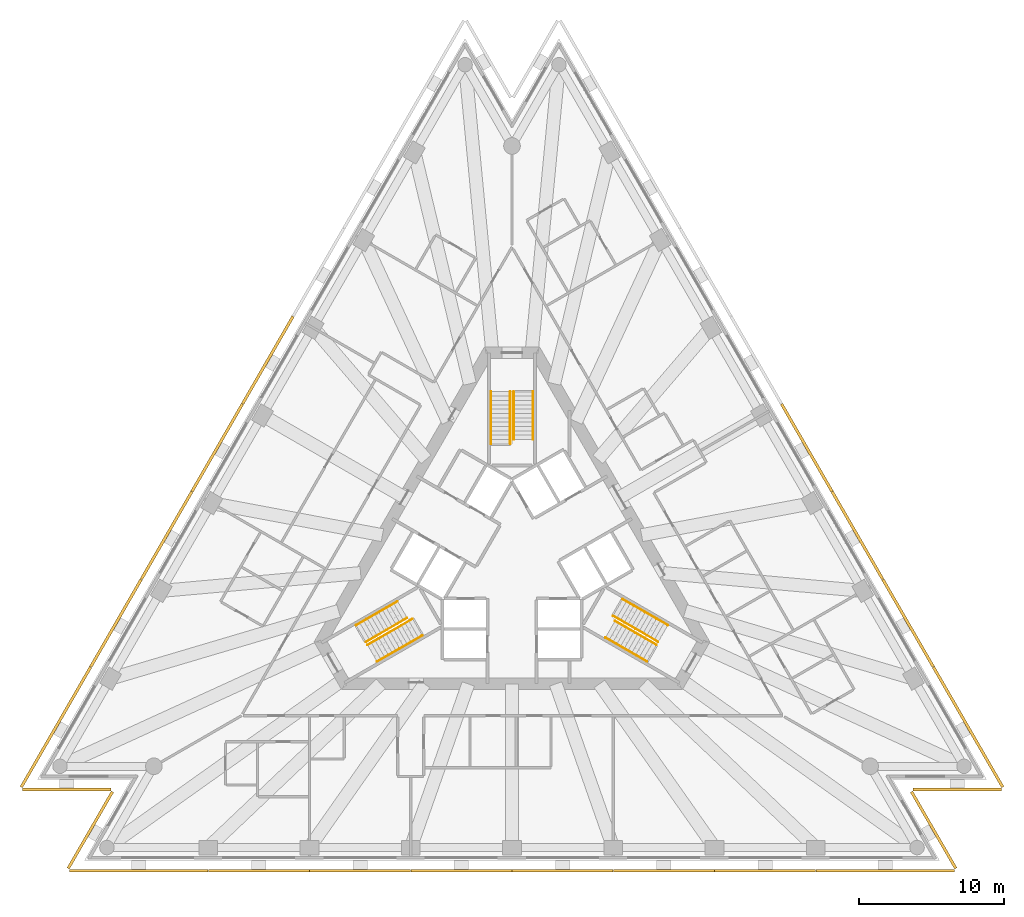
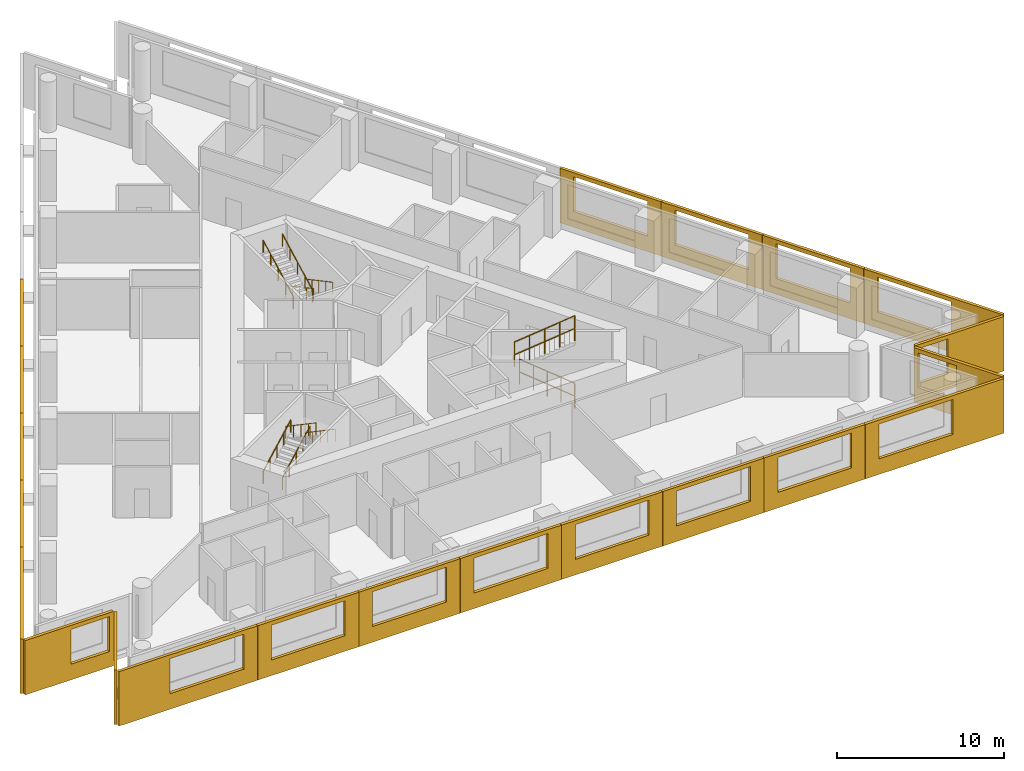
# One storey, part 9 of 10: 21 shading devices, 12 railings, 3 elements without a shape of their own.
"""IFC4 building model written with IfcOpenShell, lengths in metres."""

from ifc_helpers import new_model, si_unit, direction, frame, origin, origin_2d, place, context, subcontext, project, spatial, polyline, circle, outline, extrude, material, layer, layer_set, type_object, element, aggregate, save


model = new_model("IFC4")

# Units and contexts
model_context = context("Model", 3, precision=1e-05, world=origin(), true_north=direction((0.0, 1.0)))
body_context = subcontext(model_context, "Body", "Model", "MODEL_VIEW")
ifc_project = project(units=[si_unit("LENGTHUNIT", "METRE"), si_unit("AREAUNIT", "SQUARE_METRE"), si_unit("VOLUMEUNIT", "CUBIC_METRE"), si_unit("PLANEANGLEUNIT", "RADIAN"), si_unit("MASSUNIT", "GRAM", prefix="KILO")], contexts=[model_context])

# Site, building, storey
site_placement = place(None, origin())
site = spatial("IfcSite", under=ifc_project, at=site_placement, CompositionType="ELEMENT")
building_placement = place(site_placement, origin())
building = spatial("IfcBuilding", under=site, at=building_placement, Name="Triada Interchange Tower", CompositionType="ELEMENT")
storey_placement = place(building_placement, frame((0.0, 0.0, 112.300048828125)))
storey = spatial("IfcBuildingStorey", under=building, at=storey_placement, Name="L25", CompositionType="ELEMENT", Elevation=112.300048828125)

# Shading devices
ifc_material_1 = material(Name="Concrete C50/60 precast", Category="concrete")
ifc_layer_1 = layer(ifc_material_1, 0.02001953125, Name="Exposed aggregate face")
ifc_layer_2 = layer(ifc_material_1, 0.179931640625, Name="Precast concrete screen")
ifc_layer_set = layer_set([ifc_layer_1, ifc_layer_2], Name="Outer skin screen panel 3980")
shading_device_type = type_object("IfcShadingDeviceType", Name="Outer skin screen panel 3980", PredefinedType="SHUTTER", material=ifc_layer_set)
shading_device_1_placement = place(storey_placement, frame((-15.052001953125, 16.763916015625, -0.2900390625), z_axis=(0.0, 0.0, 1.0), x_axis=(-0.49997871953, -0.866037689721, 0.0)))
element("IfcShadingDevice", 1, at=shading_device_1_placement, inside=storey, type_object=shading_device_type, Name="Outer skin screen panel L25 04", PredefinedType="SHUTTER", context=body_context, shape_type="SweptSolid", body=[
    extrude(outline(polyline([(0.0, 0.0), (6.982177734375, 0.0), (6.982177734375, 3.97998046875), (0.0, 3.97998046875), (0.0, 0.0)]), holes=[polyline([(0.9404296875, 1.139892578125), (0.9404296875, 3.68994140625), (6.040283203125, 3.68994140625), (6.040283203125, 1.139892578125), (0.9404296875, 1.139892578125)])]), frame((0.0, 0.0, 0.0), z_axis=(0.0, -1.0, 0.0), x_axis=(1.0, 0.0, 0.0)), (0.0, 0.0, 1.0), 0.199951171875),
])
shading_device_2_placement = place(storey_placement, frame((-18.552978515625, 10.699951171875, -0.2900390625), z_axis=(0.0, 0.0, 1.0), x_axis=(-0.499934370605, -0.866063291618, 0.0)))
element("IfcShadingDevice", 2, at=shading_device_2_placement, inside=storey, type_object=shading_device_type, Name="Outer skin screen panel L25 05", PredefinedType="SHUTTER", context=body_context, shape_type="SweptSolid", body=[
    extrude(outline(polyline([(0.0, 0.0), (6.98095703125, 0.0), (6.98095703125, 3.97998046875), (0.0, 3.97998046875), (0.0, 0.0)]), holes=[polyline([(0.94091796875, 1.139892578125), (0.94091796875, 3.68994140625), (6.040771484375, 3.68994140625), (6.040771484375, 1.139892578125), (0.94091796875, 1.139892578125)])]), frame((0.0, 0.0, 0.0), z_axis=(0.0, -1.0, 0.0), x_axis=(1.0, 0.0, 0.0)), (0.0, 0.0, 1.0), 0.199951171875),
])
shading_device_3_placement = place(storey_placement, frame((-22.052978515625, 4.635986328125, -0.2900390625), z_axis=(0.0, 0.0, 1.0), x_axis=(-0.5000392868, -0.866002720352, 0.0)))
element("IfcShadingDevice", 3, at=shading_device_3_placement, inside=storey, type_object=shading_device_type, Name="Outer skin screen panel L25 06", PredefinedType="SHUTTER", context=body_context, shape_type="SweptSolid", body=[
    extrude(outline(polyline([(0.0, 0.0), (6.9814453125, 0.0), (6.9814453125, 3.97998046875), (0.0, 3.97998046875), (0.0, 0.0)]), holes=[polyline([(0.941162109375, 1.139892578125), (0.941162109375, 3.68994140625), (6.041015625, 3.68994140625), (6.041015625, 1.139892578125), (0.941162109375, 1.139892578125)])]), frame((0.0, 0.0, 0.0), z_axis=(0.0, -1.0, 0.0), x_axis=(1.0, 0.0, 0.0)), (0.0, 0.0, 1.0), 0.199951171875),
])
shading_device_4_placement = place(storey_placement, frame((-25.553955078125, -1.427001953125, -0.2900390625), z_axis=(0.0, 0.0, 1.0), x_axis=(-0.499963579623, -0.866046430078, 0.0)))
element("IfcShadingDevice", 4, at=shading_device_4_placement, inside=storey, type_object=shading_device_type, Name="Outer skin screen panel L25 07", PredefinedType="SHUTTER", context=body_context, shape_type="SweptSolid", body=[
    extrude(outline(polyline([(0.0, 0.0), (6.982421875, 0.0), (6.982421875, 3.97998046875), (0.0, 3.97998046875), (0.0, 0.0)]), holes=[polyline([(0.9404296875, 1.139892578125), (0.9404296875, 3.68994140625), (6.040283203125, 3.68994140625), (6.040283203125, 1.139892578125), (0.9404296875, 1.139892578125)])]), frame((0.0, 0.0, 0.0), z_axis=(0.0, -1.0, 0.0), x_axis=(1.0, 0.0, 0.0)), (0.0, 0.0, 1.0), 0.199951171875),
])
shading_device_5_placement = place(storey_placement, frame((-29.054931640625, -7.490966796875, -0.2900390625), z_axis=(0.0, 0.0, 1.0), x_axis=(-0.500020270231, -0.866013700445, 0.0)))
element("IfcShadingDevice", 5, at=shading_device_5_placement, inside=storey, type_object=shading_device_type, Name="Outer skin screen panel L25 08", PredefinedType="SHUTTER", context=body_context, shape_type="SweptSolid", body=[
    extrude(outline(polyline([(0.0, 0.0), (9.57958984375, 0.0), (9.57958984375, 3.97998046875), (0.0, 3.97998046875), (0.0, 0.0)]), holes=[polyline([(0.940673828125, 1.139892578125), (0.940673828125, 3.68994140625), (6.040771484375, 3.68994140625), (6.040771484375, 1.139892578125), (0.940673828125, 1.139892578125)])]), frame((0.0, 0.0, 0.0), z_axis=(0.0, -1.0, 0.0), x_axis=(1.0, 0.0, 0.0)), (0.0, 0.0, 1.0), 0.199951171875),
])
shading_device_6_placement = place(storey_placement, frame((-33.840087890625, -15.7958984375, -0.2900390625), z_axis=(0.0, 0.0, 1.0), x_axis=(1.0, 0.0, 0.0)))
element("IfcShadingDevice", 6, at=shading_device_6_placement, inside=storey, type_object=shading_device_type, Name="Outer skin screen panel L25 09", PredefinedType="SHUTTER", context=body_context, shape_type="SweptSolid", body=[
    extrude(outline(polyline([(0.0, 0.0), (6.123046875, 0.0), (6.123046875, 3.97998046875), (0.0, 3.97998046875), (0.0, 0.0)]), holes=[polyline([(3.175048828125, 1.139892578125), (3.175048828125, 3.68994140625), (5.822998046875, 3.68994140625), (5.822998046875, 1.139892578125), (3.175048828125, 1.139892578125)])]), frame((0.0, 0.0, 0.0), z_axis=(0.0, -1.0, 0.0), x_axis=(1.0, 0.0, 0.0)), (0.0, 0.0, 1.0), 0.199951171875),
])
shading_device_7_placement = place(storey_placement, frame((-27.5380859375, -16.10498046875, -0.2900390625), z_axis=(0.0, 0.0, 1.0), x_axis=(-0.500041108788, -0.866001668314, 0.0)))
element("IfcShadingDevice", 7, at=shading_device_7_placement, inside=storey, type_object=shading_device_type, Name="Outer skin screen panel L25 10", PredefinedType="SHUTTER", context=body_context, shape_type="SweptSolid", body=[
    extrude(outline(polyline([(0.0, 0.0), (6.12353515625, 0.0), (6.12353515625, 3.97998046875), (0.0, 3.97998046875), (0.0, 0.0)]), holes=[polyline([(0.300048828125, 1.139892578125), (0.300048828125, 3.68994140625), (2.258056640625, 3.68994140625), (2.258056640625, 1.139892578125), (0.300048828125, 1.139892578125)])]), frame((0.0, 0.0, 0.0), z_axis=(0.0, -1.0, 0.0), x_axis=(1.0, 0.0, 0.0)), (0.0, 0.0, 1.0), 0.199951171875),
])
shading_device_8_placement = place(storey_placement, frame((-30.594970703125, -21.4169921875, -0.2900390625), z_axis=(0.0, 0.0, 1.0), x_axis=(1.0, 0.0, 0.0)))
element("IfcShadingDevice", 8, at=shading_device_8_placement, inside=storey, type_object=shading_device_type, Name="Outer skin screen panel L25 11", PredefinedType="SHUTTER", context=body_context, shape_type="SweptSolid", body=[
    extrude(outline(polyline([(0.0, 0.0), (9.580078125, 0.0), (9.580078125, 3.97998046875), (0.0, 3.97998046875), (0.0, 0.0)]), holes=[polyline([(3.5390625, 1.139892578125), (3.5390625, 3.68994140625), (8.638916015625, 3.68994140625), (8.638916015625, 1.139892578125), (3.5390625, 1.139892578125)])]), frame((0.0, 0.0, 0.0), z_axis=(0.0, -1.0, 0.0), x_axis=(1.0, 0.0, 0.0)), (0.0, 0.0, 1.0), 0.199951171875),
])
shading_device_9_placement = place(storey_placement, frame((-20.9951171875, -21.4169921875, -0.2900390625), z_axis=(0.0, 0.0, 1.0), x_axis=(1.0, 0.0, 0.0)))
element("IfcShadingDevice", 9, at=shading_device_9_placement, inside=storey, type_object=shading_device_type, Name="Outer skin screen panel L25 12", PredefinedType="SHUTTER", context=body_context, shape_type="SweptSolid", body=[
    extrude(outline(polyline([(0.0, 0.0), (6.981201171875, 0.0), (6.981201171875, 3.97998046875), (0.0, 3.97998046875), (0.0, 0.0)]), holes=[polyline([(0.94140625, 1.139892578125), (0.94140625, 3.68994140625), (6.041259765625, 3.68994140625), (6.041259765625, 1.139892578125), (0.94140625, 1.139892578125)])]), frame((0.0, 0.0, 0.0), z_axis=(0.0, -1.0, 0.0), x_axis=(1.0, 0.0, 0.0)), (0.0, 0.0, 1.0), 0.199951171875),
])
shading_device_10_placement = place(storey_placement, frame((-13.993896484375, -21.4169921875, -0.2900390625), z_axis=(0.0, 0.0, 1.0), x_axis=(1.0, 0.0, 0.0)))
element("IfcShadingDevice", 10, at=shading_device_10_placement, inside=storey, type_object=shading_device_type, Name="Outer skin screen panel L25 13", PredefinedType="SHUTTER", context=body_context, shape_type="SweptSolid", body=[
    extrude(outline(polyline([(0.0, 0.0), (6.98193359375, 0.0), (6.98193359375, 3.97998046875), (0.0, 3.97998046875), (0.0, 0.0)]), holes=[polyline([(0.9404296875, 1.139892578125), (0.9404296875, 3.68994140625), (6.04052734375, 3.68994140625), (6.04052734375, 1.139892578125), (0.9404296875, 1.139892578125)])]), frame((0.0, 0.0, 0.0), z_axis=(0.0, -1.0, 0.0), x_axis=(1.0, 0.0, 0.0)), (0.0, 0.0, 1.0), 0.199951171875),
])
shading_device_11_placement = place(storey_placement, frame((-6.991943359375, -21.4169921875, -0.2900390625), z_axis=(0.0, 0.0, 1.0), x_axis=(1.0, 0.0, 0.0)))
element("IfcShadingDevice", 11, at=shading_device_11_placement, inside=storey, type_object=shading_device_type, Name="Outer skin screen panel L25 14", PredefinedType="SHUTTER", context=body_context, shape_type="SweptSolid", body=[
    extrude(outline(polyline([(0.0, 0.0), (6.98193359375, 0.0), (6.98193359375, 3.97998046875), (0.0, 3.97998046875), (0.0, 0.0)]), holes=[polyline([(0.94091796875, 1.139892578125), (0.94091796875, 3.68994140625), (6.040771484375, 3.68994140625), (6.040771484375, 1.139892578125), (0.94091796875, 1.139892578125)])]), frame((0.0, 0.0, 0.0), z_axis=(0.0, -1.0, 0.0), x_axis=(1.0, 0.0, 0.0)), (0.0, 0.0, 1.0), 0.199951171875),
])
shading_device_12_placement = place(storey_placement, frame((0.010009765625, -21.4169921875, -0.2900390625), z_axis=(0.0, 0.0, 1.0), x_axis=(1.0, 0.0, 0.0)))
element("IfcShadingDevice", 12, at=shading_device_12_placement, inside=storey, type_object=shading_device_type, Name="Outer skin screen panel L25 15", PredefinedType="SHUTTER", context=body_context, shape_type="SweptSolid", body=[
    extrude(outline(polyline([(0.0, 0.0), (6.98193359375, 0.0), (6.98193359375, 3.97998046875), (0.0, 3.97998046875), (0.0, 0.0)]), holes=[polyline([(0.94091796875, 1.139892578125), (0.94091796875, 3.68994140625), (6.041015625, 3.68994140625), (6.041015625, 1.139892578125), (0.94091796875, 1.139892578125)])]), frame((0.0, 0.0, 0.0), z_axis=(0.0, -1.0, 0.0), x_axis=(1.0, 0.0, 0.0)), (0.0, 0.0, 1.0), 0.199951171875),
])
shading_device_13_placement = place(storey_placement, frame((7.011962890625, -21.4169921875, -0.2900390625), z_axis=(0.0, 0.0, 1.0), x_axis=(1.0, 0.0, 0.0)))
element("IfcShadingDevice", 13, at=shading_device_13_placement, inside=storey, type_object=shading_device_type, Name="Outer skin screen panel L25 16", PredefinedType="SHUTTER", context=body_context, shape_type="SweptSolid", body=[
    extrude(outline(polyline([(0.0, 0.0), (6.98193359375, 0.0), (6.98193359375, 3.97998046875), (0.0, 3.97998046875), (0.0, 0.0)]), holes=[polyline([(0.94140625, 1.139892578125), (0.94140625, 3.68994140625), (6.041259765625, 3.68994140625), (6.041259765625, 1.139892578125), (0.94140625, 1.139892578125)])]), frame((0.0, 0.0, 0.0), z_axis=(0.0, -1.0, 0.0), x_axis=(1.0, 0.0, 0.0)), (0.0, 0.0, 1.0), 0.199951171875),
])
shading_device_14_placement = place(storey_placement, frame((14.012939453125, -21.4169921875, -0.2900390625), z_axis=(0.0, 0.0, 1.0), x_axis=(1.0, 0.0, 0.0)))
element("IfcShadingDevice", 14, at=shading_device_14_placement, inside=storey, type_object=shading_device_type, Name="Outer skin screen panel L25 17", PredefinedType="SHUTTER", context=body_context, shape_type="SweptSolid", body=[
    extrude(outline(polyline([(0.0, 0.0), (6.982177734375, 0.0), (6.982177734375, 3.97998046875), (0.0, 3.97998046875), (0.0, 0.0)]), holes=[polyline([(0.9404296875, 1.139892578125), (0.9404296875, 3.68994140625), (6.04052734375, 3.68994140625), (6.04052734375, 1.139892578125), (0.9404296875, 1.139892578125)])]), frame((0.0, 0.0, 0.0), z_axis=(0.0, -1.0, 0.0), x_axis=(1.0, 0.0, 0.0)), (0.0, 0.0, 1.0), 0.199951171875),
])
shading_device_15_placement = place(storey_placement, frame((21.014892578125, -21.4169921875, -0.2900390625), z_axis=(0.0, 0.0, 1.0), x_axis=(1.0, 0.0, 0.0)))
element("IfcShadingDevice", 15, at=shading_device_15_placement, inside=storey, type_object=shading_device_type, Name="Outer skin screen panel L25 18", PredefinedType="SHUTTER", context=body_context, shape_type="SweptSolid", body=[
    extrude(outline(polyline([(0.0, 0.0), (9.580078125, 0.0), (9.580078125, 3.97998046875), (0.0, 3.97998046875), (0.0, 0.0)]), holes=[polyline([(0.94091796875, 1.139892578125), (0.94091796875, 3.68994140625), (6.040771484375, 3.68994140625), (6.040771484375, 1.139892578125), (0.94091796875, 1.139892578125)])]), frame((0.0, 0.0, 0.0), z_axis=(0.0, -1.0, 0.0), x_axis=(1.0, 0.0, 0.0)), (0.0, 0.0, 1.0), 0.199951171875),
])
shading_device_16_placement = place(storey_placement, frame((30.60009765625, -21.407958984375, -0.2900390625), z_axis=(0.0, 0.0, 1.0), x_axis=(-0.500041108788, 0.866001668314, 0.0)))
element("IfcShadingDevice", 16, at=shading_device_16_placement, inside=storey, type_object=shading_device_type, Name="Outer skin screen panel L25 19", PredefinedType="SHUTTER", context=body_context, shape_type="SweptSolid", body=[
    extrude(outline(polyline([(0.0, 0.0), (6.12353515625, 0.0), (6.12353515625, 3.97998046875), (0.0, 3.97998046875), (0.0, 0.0)]), holes=[polyline([(3.17529296875, 1.139892578125), (3.17529296875, 3.68994140625), (5.82373046875, 3.68994140625), (5.82373046875, 1.139892578125), (3.17529296875, 1.139892578125)])]), frame((0.0, 0.0, 0.0), z_axis=(0.0, -1.0, 0.0), x_axis=(1.0, 0.0, 0.0)), (0.0, 0.0, 1.0), 0.199951171875),
])
shading_device_17_placement = place(storey_placement, frame((27.717041015625, -15.7958984375, -0.2900390625), z_axis=(0.0, 0.0, 1.0), x_axis=(1.0, 0.0, 0.0)))
element("IfcShadingDevice", 17, at=shading_device_17_placement, inside=storey, type_object=shading_device_type, Name="Outer skin screen panel L25 20", PredefinedType="SHUTTER", context=body_context, shape_type="SweptSolid", body=[
    extrude(outline(polyline([(0.0, 0.0), (6.123046875, 0.0), (6.123046875, 3.97998046875), (0.0, 3.97998046875), (0.0, 0.0)]), holes=[polyline([(0.300048828125, 1.139892578125), (0.300048828125, 3.68994140625), (2.258056640625, 3.68994140625), (2.258056640625, 1.139892578125), (0.300048828125, 1.139892578125)])]), frame((0.0, 0.0, 0.0), z_axis=(0.0, -1.0, 0.0), x_axis=(1.0, 0.0, 0.0)), (0.0, 0.0, 1.0), 0.199951171875),
])
shading_device_18_placement = place(storey_placement, frame((33.844970703125, -15.787109375, -0.2900390625), z_axis=(0.0, 0.0, 1.0), x_axis=(-0.500020270231, 0.866013700445, 0.0)))
element("IfcShadingDevice", 18, at=shading_device_18_placement, inside=storey, type_object=shading_device_type, Name="Outer skin screen panel L25 21", PredefinedType="SHUTTER", context=body_context, shape_type="SweptSolid", body=[
    extrude(outline(polyline([(0.0, 0.0), (9.57958984375, 0.0), (9.57958984375, 3.97998046875), (0.0, 3.97998046875), (0.0, 0.0)]), holes=[polyline([(3.539306640625, 1.139892578125), (3.539306640625, 3.68994140625), (8.639404296875, 3.68994140625), (8.639404296875, 1.139892578125), (3.539306640625, 1.139892578125)])]), frame((0.0, 0.0, 0.0), z_axis=(0.0, -1.0, 0.0), x_axis=(1.0, 0.0, 0.0)), (0.0, 0.0, 1.0), 0.199951171875),
])
shading_device_19_placement = place(storey_placement, frame((29.044921875, -7.47412109375, -0.2900390625), z_axis=(0.0, 0.0, 1.0), x_axis=(-0.499963579623, 0.866046430078, 0.0)))
element("IfcShadingDevice", 19, at=shading_device_19_placement, inside=storey, type_object=shading_device_type, Name="Outer skin screen panel L25 22", PredefinedType="SHUTTER", context=body_context, shape_type="SweptSolid", body=[
    extrude(outline(polyline([(0.0, 0.0), (6.982421875, 0.0), (6.982421875, 3.97998046875), (0.0, 3.97998046875), (0.0, 0.0)]), holes=[polyline([(0.9404296875, 1.139892578125), (0.9404296875, 3.68994140625), (6.04052734375, 3.68994140625), (6.04052734375, 1.139892578125), (0.9404296875, 1.139892578125)])]), frame((0.0, 0.0, 0.0), z_axis=(0.0, -1.0, 0.0), x_axis=(1.0, 0.0, 0.0)), (0.0, 0.0, 1.0), 0.199951171875),
])
shading_device_20_placement = place(storey_placement, frame((25.5439453125, -1.409912109375, -0.2900390625), z_axis=(0.0, 0.0, 1.0), x_axis=(-0.5000392868, 0.866002720352, 0.0)))
element("IfcShadingDevice", 20, at=shading_device_20_placement, inside=storey, type_object=shading_device_type, Name="Outer skin screen panel L25 23", PredefinedType="SHUTTER", context=body_context, shape_type="SweptSolid", body=[
    extrude(outline(polyline([(0.0, 0.0), (6.9814453125, 0.0), (6.9814453125, 3.97998046875), (0.0, 3.97998046875), (0.0, 0.0)]), holes=[polyline([(0.94091796875, 1.139892578125), (0.94091796875, 3.68994140625), (6.040771484375, 3.68994140625), (6.040771484375, 1.139892578125), (0.94091796875, 1.139892578125)])]), frame((0.0, 0.0, 0.0), z_axis=(0.0, -1.0, 0.0), x_axis=(1.0, 0.0, 0.0)), (0.0, 0.0, 1.0), 0.199951171875),
])
shading_device_21_placement = place(storey_placement, frame((22.04296875, 4.654052734375, -0.2900390625), z_axis=(0.0, 0.0, 1.0), x_axis=(-0.499934370605, 0.866063291618, 0.0)))
element("IfcShadingDevice", 21, at=shading_device_21_placement, inside=storey, type_object=shading_device_type, Name="Outer skin screen panel L25 24", PredefinedType="SHUTTER", context=body_context, shape_type="SweptSolid", body=[
    extrude(outline(polyline([(0.0, 0.0), (6.98095703125, 0.0), (6.98095703125, 3.97998046875), (0.0, 3.97998046875), (0.0, 0.0)]), holes=[polyline([(0.941162109375, 1.139892578125), (0.941162109375, 3.68994140625), (6.041259765625, 3.68994140625), (6.041259765625, 1.139892578125), (0.941162109375, 1.139892578125)])]), frame((0.0, 0.0, 0.0), z_axis=(0.0, -1.0, 0.0), x_axis=(1.0, 0.0, 0.0)), (0.0, 0.0, 1.0), 0.199951171875),
])

# Stair, railings
ifc_material_2 = material(Name="Concrete C35/45", Category="concrete")
stair_type = type_object("IfcStairType", Name="HALF TURN STAIR 1400", PredefinedType="HALF_TURN_STAIR", material=ifc_material_2)
stair_1_placement = place(storey_placement, origin())
stair_1 = element("IfcStair", 22, at=stair_1_placement, inside=storey, type_object=stair_type, Name="Exit stair S23-1", PredefinedType="HALF_TURN_STAIR")
ifc_material_3 = material(Name="Stainless steel 1.4301", Category="steel")
railing_type = type_object("IfcRailingType", Name="STAIR HANDRAIL 900", PredefinedType="HANDRAIL", material=ifc_material_3)
railing_1_placement = place(storey_placement, frame((1.449951171875, 11.60009765625, 0.159912109375)))
railing_1 = element("IfcRailing", 23, at=railing_1_placement, type_object=railing_type, Name="Handrail S23-1 1W", PredefinedType="HANDRAIL", context=body_context, shape_type="SweptSolid", body=[
    extrude(circle(Radius=0.02392578125, at=origin_2d()), frame((0.0, 0.0, 0.8759765625), z_axis=(0.0, -0.882354748157, 0.47058484719), x_axis=(1.0, 0.0, 0.0)), (0.0, 0.0, 1.0), 3.739990234375),
    extrude(circle(Radius=0.02099609375, at=origin_2d()), origin(), (0.0, 0.0, 1.0), 0.851806640625),
    extrude(circle(Radius=0.02099609375, at=origin_2d()), frame((0.0, -0.824951171875, 0.43994140625)), (0.0, 0.0, 1.0), 0.851806640625),
    extrude(circle(Radius=0.02099609375, at=origin_2d()), frame((0.0, -1.64990234375, 0.8798828125)), (0.0, 0.0, 1.0), 0.851806640625),
    extrude(circle(Radius=0.02099609375, at=origin_2d()), frame((0.0, -2.47509765625, 1.320068359375)), (0.0, 0.0, 1.0), 0.851806640625),
    extrude(circle(Radius=0.02099609375, at=origin_2d()), frame((0.0, -3.300048828125, 1.760009765625)), (0.0, 0.0, 1.0), 0.851806640625),
])
railing_2_placement = place(storey_placement, frame((0.1201171875, 11.60009765625, 0.159912109375)))
railing_2 = element("IfcRailing", 24, at=railing_2_placement, type_object=railing_type, Name="Handrail S23-1 1C", PredefinedType="HANDRAIL", context=body_context, shape_type="SweptSolid", body=[
    extrude(circle(Radius=0.02392578125, at=origin_2d()), frame((0.0, 0.0, 0.8759765625), z_axis=(0.0, -0.882354748157, 0.47058484719), x_axis=(1.0, 0.0, 0.0)), (0.0, 0.0, 1.0), 3.739990234375),
    extrude(circle(Radius=0.02099609375, at=origin_2d()), origin(), (0.0, 0.0, 1.0), 0.851806640625),
    extrude(circle(Radius=0.02099609375, at=origin_2d()), frame((0.0, -0.824951171875, 0.43994140625)), (0.0, 0.0, 1.0), 0.851806640625),
    extrude(circle(Radius=0.02099609375, at=origin_2d()), frame((0.0, -1.64990234375, 0.8798828125)), (0.0, 0.0, 1.0), 0.851806640625),
    extrude(circle(Radius=0.02099609375, at=origin_2d()), frame((0.0, -2.47509765625, 1.320068359375)), (0.0, 0.0, 1.0), 0.851806640625),
    extrude(circle(Radius=0.02099609375, at=origin_2d()), frame((0.0, -3.300048828125, 1.760009765625)), (0.0, 0.0, 1.0), 0.851806640625),
])
railing_3_placement = place(storey_placement, frame((-1.449951171875, 8.0, 2.079833984375)))
railing_3 = element("IfcRailing", 25, at=railing_3_placement, type_object=railing_type, Name="Handrail S23-1 2W", PredefinedType="HANDRAIL", context=body_context, shape_type="SweptSolid", body=[
    extrude(circle(Radius=0.02392578125, at=origin_2d()), frame((0.0, 0.0, 0.8759765625), z_axis=(0.0, 0.882341346394, 0.470609974867), x_axis=(-1.0, 0.0, 0.0)), (0.0, 0.0, 1.0), 4.080078125),
    extrude(circle(Radius=0.02099609375, at=origin_2d()), origin(), (0.0, 0.0, 1.0), 0.851806640625),
    extrude(circle(Radius=0.02099609375, at=origin_2d()), frame((0.0, 0.89990234375, 0.47998046875)), (0.0, 0.0, 1.0), 0.851806640625),
    extrude(circle(Radius=0.02099609375, at=origin_2d()), frame((0.0, 1.800048828125, 0.9599609375)), (0.0, 0.0, 1.0), 0.851806640625),
    extrude(circle(Radius=0.02099609375, at=origin_2d()), frame((0.0, 2.7001953125, 1.440185546875)), (0.0, 0.0, 1.0), 0.851806640625),
    extrude(circle(Radius=0.02099609375, at=origin_2d()), frame((0.0, 3.60009765625, 1.920166015625)), (0.0, 0.0, 1.0), 0.851806640625),
])
railing_4_placement = place(storey_placement, frame((-0.1201171875, 8.0, 2.079833984375)))
railing_4 = element("IfcRailing", 26, at=railing_4_placement, type_object=railing_type, Name="Handrail S23-1 2C", PredefinedType="HANDRAIL", context=body_context, shape_type="SweptSolid", body=[
    extrude(circle(Radius=0.02392578125, at=origin_2d()), frame((0.0, 0.0, 0.8759765625), z_axis=(0.0, 0.882341346394, 0.470609974867), x_axis=(-1.0, 0.0, 0.0)), (0.0, 0.0, 1.0), 4.080078125),
    extrude(circle(Radius=0.02099609375, at=origin_2d()), origin(), (0.0, 0.0, 1.0), 0.851806640625),
    extrude(circle(Radius=0.02099609375, at=origin_2d()), frame((0.0, 0.89990234375, 0.47998046875)), (0.0, 0.0, 1.0), 0.851806640625),
    extrude(circle(Radius=0.02099609375, at=origin_2d()), frame((0.0, 1.800048828125, 0.9599609375)), (0.0, 0.0, 1.0), 0.851806640625),
    extrude(circle(Radius=0.02099609375, at=origin_2d()), frame((0.0, 2.7001953125, 1.440185546875)), (0.0, 0.0, 1.0), 0.851806640625),
    extrude(circle(Radius=0.02099609375, at=origin_2d()), frame((0.0, 3.60009765625, 1.920166015625)), (0.0, 0.0, 1.0), 0.851806640625),
])
aggregate(stair_1, [railing_1, railing_2, railing_3, railing_4])

stair_2_placement = place(storey_placement, origin())
stair_2 = element("IfcStair", 27, at=stair_2_placement, inside=storey, type_object=stair_type, Name="Exit stair S23-2", PredefinedType="HALF_TURN_STAIR")
railing_5_placement = place(storey_placement, frame((-10.77099609375, -4.5439453125, 0.159912109375)))
railing_5 = element("IfcRailing", 28, at=railing_5_placement, type_object=railing_type, Name="Handrail S23-2 1W", PredefinedType="HANDRAIL", context=body_context, shape_type="SweptSolid", body=[
    extrude(circle(Radius=0.02392578125, at=origin_2d()), frame((0.0, 0.0, 0.8759765625), z_axis=(0.764150854273, 0.441152526326, 0.470593158077), x_axis=(-0.499974350878, 0.866040211805, 0.0)), (0.0, 0.0, 1.0), 3.739990234375),
    extrude(circle(Radius=0.02099609375, at=origin_2d()), origin(), (0.0, 0.0, 1.0), 0.851806640625),
    extrude(circle(Radius=0.02099609375, at=origin_2d()), frame((0.71435546875, 0.41259765625, 0.43994140625)), (0.0, 0.0, 1.0), 0.851806640625),
    extrude(circle(Radius=0.02099609375, at=origin_2d()), frame((1.428955078125, 0.824951171875, 0.8798828125)), (0.0, 0.0, 1.0), 0.851806640625),
    extrude(circle(Radius=0.02099609375, at=origin_2d()), frame((2.1435546875, 1.2373046875, 1.320068359375)), (0.0, 0.0, 1.0), 0.851806640625),
    extrude(circle(Radius=0.02099609375, at=origin_2d()), frame((2.85791015625, 1.64990234375, 1.760009765625)), (0.0, 0.0, 1.0), 0.851806640625),
])
railing_6_placement = place(storey_placement, frame((-10.10595703125, -5.696044921875, 0.159912109375)))
railing_6 = element("IfcRailing", 29, at=railing_6_placement, type_object=railing_type, Name="Handrail S23-2 1C", PredefinedType="HANDRAIL", context=body_context, shape_type="SweptSolid", body=[
    extrude(circle(Radius=0.02392578125, at=origin_2d()), frame((0.0, 0.0, 0.8759765625), z_axis=(0.76412884773, 0.441205098395, 0.470579605611), x_axis=(-0.50002983664, 0.866008176907, 0.0)), (0.0, 0.0, 1.0), 3.739990234375),
    extrude(circle(Radius=0.02099609375, at=origin_2d()), origin(), (0.0, 0.0, 1.0), 0.851806640625),
    extrude(circle(Radius=0.02099609375, at=origin_2d()), frame((0.71435546875, 0.41259765625, 0.43994140625)), (0.0, 0.0, 1.0), 0.851806640625),
    extrude(circle(Radius=0.02099609375, at=origin_2d()), frame((1.428955078125, 0.8251953125, 0.8798828125)), (0.0, 0.0, 1.0), 0.851806640625),
    extrude(circle(Radius=0.02099609375, at=origin_2d()), frame((2.1435546875, 1.237548828125, 1.320068359375)), (0.0, 0.0, 1.0), 0.851806640625),
    extrude(circle(Radius=0.02099609375, at=origin_2d()), frame((2.85791015625, 1.650146484375, 1.760009765625)), (0.0, 0.0, 1.0), 0.851806640625),
])
railing_7_placement = place(storey_placement, frame((-6.202880859375, -5.256103515625, 2.079833984375)))
railing_7 = element("IfcRailing", 30, at=railing_7_placement, type_object=railing_type, Name="Handrail S23-2 2W", PredefinedType="HANDRAIL", context=body_context, shape_type="SweptSolid", body=[
    extrude(circle(Radius=0.02392578125, at=origin_2d()), frame((0.0, 0.0, 0.8759765625), z_axis=(-0.764189758314, -0.441090424232, 0.470588196769), x_axis=(0.499902469156, -0.866081705922, 0.0)), (0.0, 0.0, 1.0), 4.080322265625),
    extrude(circle(Radius=0.02099609375, at=origin_2d()), origin(), (0.0, 0.0, 1.0), 0.851806640625),
    extrude(circle(Radius=0.02099609375, at=origin_2d()), frame((-0.779541015625, -0.449951171875, 0.47998046875)), (0.0, 0.0, 1.0), 0.851806640625),
    extrude(circle(Radius=0.02099609375, at=origin_2d()), frame((-1.55908203125, -0.89990234375, 0.9599609375)), (0.0, 0.0, 1.0), 0.851806640625),
    extrude(circle(Radius=0.02099609375, at=origin_2d()), frame((-2.338623046875, -1.349853515625, 1.440185546875)), (0.0, 0.0, 1.0), 0.851806640625),
    extrude(circle(Radius=0.02099609375, at=origin_2d()), frame((-3.1181640625, -1.7998046875, 1.920166015625)), (0.0, 0.0, 1.0), 0.851806640625),
])
railing_8_placement = place(storey_placement, frame((-6.867919921875, -4.10400390625, 2.079833984375)))
railing_8 = element("IfcRailing", 31, at=railing_8_placement, type_object=railing_type, Name="Handrail S23-2 2C", PredefinedType="HANDRAIL", context=body_context, shape_type="SweptSolid", body=[
    extrude(circle(Radius=0.02392578125, at=origin_2d()), frame((0.0, 0.0, 0.8759765625), z_axis=(-0.764169589359, -0.441138614339, 0.470575776723), x_axis=(0.49995333141, -0.866052346231, 0.0)), (0.0, 0.0, 1.0), 4.08056640625),
    extrude(circle(Radius=0.02099609375, at=origin_2d()), origin(), (0.0, 0.0, 1.0), 0.851806640625),
    extrude(circle(Radius=0.02099609375, at=origin_2d()), frame((-0.779541015625, -0.449951171875, 0.47998046875)), (0.0, 0.0, 1.0), 0.851806640625),
    extrude(circle(Radius=0.02099609375, at=origin_2d()), frame((-1.55908203125, -0.89990234375, 0.9599609375)), (0.0, 0.0, 1.0), 0.851806640625),
    extrude(circle(Radius=0.02099609375, at=origin_2d()), frame((-2.338623046875, -1.35009765625, 1.440185546875)), (0.0, 0.0, 1.0), 0.851806640625),
    extrude(circle(Radius=0.02099609375, at=origin_2d()), frame((-3.1181640625, -1.800048828125, 1.920166015625)), (0.0, 0.0, 1.0), 0.851806640625),
])
aggregate(stair_2, [railing_5, railing_6, railing_7, railing_8])

stair_3_placement = place(storey_placement, origin())
stair_3 = element("IfcStair", 32, at=stair_3_placement, inside=storey, type_object=stair_type, Name="Exit stair S23-3", PredefinedType="HALF_TURN_STAIR")
railing_9_placement = place(storey_placement, frame((9.321044921875, -7.055908203125, 0.159912109375)))
railing_9 = element("IfcRailing", 33, at=railing_9_placement, type_object=railing_type, Name="Handrail S23-3 1W", PredefinedType="HANDRAIL", context=body_context, shape_type="SweptSolid", body=[
    extrude(circle(Radius=0.02392578125, at=origin_2d()), frame((0.0, 0.0, 0.8759765625), z_axis=(-0.764178012919, 0.441130521168, 0.470569684388), x_axis=(-0.499942318283, -0.866058703778, 0.0)), (0.0, 0.0, 1.0), 3.740234375),
    extrude(circle(Radius=0.02099609375, at=origin_2d()), origin(), (0.0, 0.0, 1.0), 0.851806640625),
    extrude(circle(Radius=0.02099609375, at=origin_2d()), frame((-0.714599609375, 0.41259765625, 0.43994140625)), (0.0, 0.0, 1.0), 0.851806640625),
    extrude(circle(Radius=0.02099609375, at=origin_2d()), frame((-1.42919921875, 0.824951171875, 0.8798828125)), (0.0, 0.0, 1.0), 0.851806640625),
    extrude(circle(Radius=0.02099609375, at=origin_2d()), frame((-2.1435546875, 1.2373046875, 1.320068359375)), (0.0, 0.0, 1.0), 0.851806640625),
    extrude(circle(Radius=0.02099609375, at=origin_2d()), frame((-2.858154296875, 1.64990234375, 1.760009765625)), (0.0, 0.0, 1.0), 0.851806640625),
])
railing_10_placement = place(storey_placement, frame((9.986083984375, -5.904052734375, 0.159912109375)))
railing_10 = element("IfcRailing", 34, at=railing_10_placement, type_object=railing_type, Name="Handrail S23-3 1C", PredefinedType="HANDRAIL", context=body_context, shape_type="SweptSolid", body=[
    extrude(circle(Radius=0.02392578125, at=origin_2d()), frame((0.0, 0.0, 0.8759765625), z_axis=(-0.764156007789, 0.441183091881, 0.47055613395), x_axis=(-0.49999780286, -0.8660266723, 0.0)), (0.0, 0.0, 1.0), 3.740234375),
    extrude(circle(Radius=0.02099609375, at=origin_2d()), origin(), (0.0, 0.0, 1.0), 0.851806640625),
    extrude(circle(Radius=0.02099609375, at=origin_2d()), frame((-0.714599609375, 0.41259765625, 0.43994140625)), (0.0, 0.0, 1.0), 0.851806640625),
    extrude(circle(Radius=0.02099609375, at=origin_2d()), frame((-1.42919921875, 0.8251953125, 0.8798828125)), (0.0, 0.0, 1.0), 0.851806640625),
    extrude(circle(Radius=0.02099609375, at=origin_2d()), frame((-2.1435546875, 1.237548828125, 1.320068359375)), (0.0, 0.0, 1.0), 0.851806640625),
    extrude(circle(Radius=0.02099609375, at=origin_2d()), frame((-2.858154296875, 1.650146484375, 1.760009765625)), (0.0, 0.0, 1.0), 0.851806640625),
])
railing_11_placement = place(storey_placement, frame((7.653076171875, -2.743896484375, 2.079833984375)))
railing_11 = element("IfcRailing", 35, at=railing_11_placement, type_object=railing_type, Name="Handrail S23-3 2W", PredefinedType="HANDRAIL", context=body_context, shape_type="SweptSolid", body=[
    extrude(circle(Radius=0.02392578125, at=origin_2d()), frame((0.0, 0.0, 0.8759765625), z_axis=(0.76414469501, -0.441158784458, 0.470597292793), x_axis=(0.499982693035, 0.866035395735, 0.0)), (0.0, 0.0, 1.0), 4.080322265625),
    extrude(circle(Radius=0.02099609375, at=origin_2d()), origin(), (0.0, 0.0, 1.0), 0.851806640625),
    extrude(circle(Radius=0.02099609375, at=origin_2d()), frame((0.779541015625, -0.449951171875, 0.47998046875)), (0.0, 0.0, 1.0), 0.851806640625),
    extrude(circle(Radius=0.02099609375, at=origin_2d()), frame((1.55908203125, -0.89990234375, 0.9599609375)), (0.0, 0.0, 1.0), 0.851806640625),
    extrude(circle(Radius=0.02099609375, at=origin_2d()), frame((2.33837890625, -1.35009765625, 1.440185546875)), (0.0, 0.0, 1.0), 0.851806640625),
    extrude(circle(Radius=0.02099609375, at=origin_2d()), frame((3.117919921875, -1.800048828125, 1.920166015625)), (0.0, 0.0, 1.0), 0.851806640625),
])
railing_12_placement = place(storey_placement, frame((6.988037109375, -3.89599609375, 2.079833984375)))
railing_12 = element("IfcRailing", 36, at=railing_12_placement, type_object=railing_type, Name="Handrail S23-3 2C", PredefinedType="HANDRAIL", context=body_context, shape_type="SweptSolid", body=[
    extrude(circle(Radius=0.02392578125, at=origin_2d()), frame((0.0, 0.0, 0.8759765625), z_axis=(0.76414469501, -0.441158784458, 0.470597292793), x_axis=(0.499982693035, 0.866035395735, 0.0)), (0.0, 0.0, 1.0), 4.080322265625),
    extrude(circle(Radius=0.02099609375, at=origin_2d()), origin(), (0.0, 0.0, 1.0), 0.851806640625),
    extrude(circle(Radius=0.02099609375, at=origin_2d()), frame((0.779541015625, -0.449951171875, 0.47998046875)), (0.0, 0.0, 1.0), 0.851806640625),
    extrude(circle(Radius=0.02099609375, at=origin_2d()), frame((1.55908203125, -0.89990234375, 0.9599609375)), (0.0, 0.0, 1.0), 0.851806640625),
    extrude(circle(Radius=0.02099609375, at=origin_2d()), frame((2.33837890625, -1.35009765625, 1.440185546875)), (0.0, 0.0, 1.0), 0.851806640625),
    extrude(circle(Radius=0.02099609375, at=origin_2d()), frame((3.117919921875, -1.800048828125, 1.920166015625)), (0.0, 0.0, 1.0), 0.851806640625),
])
aggregate(stair_3, [railing_9, railing_10, railing_11, railing_12])

save(model, "model.ifc")
